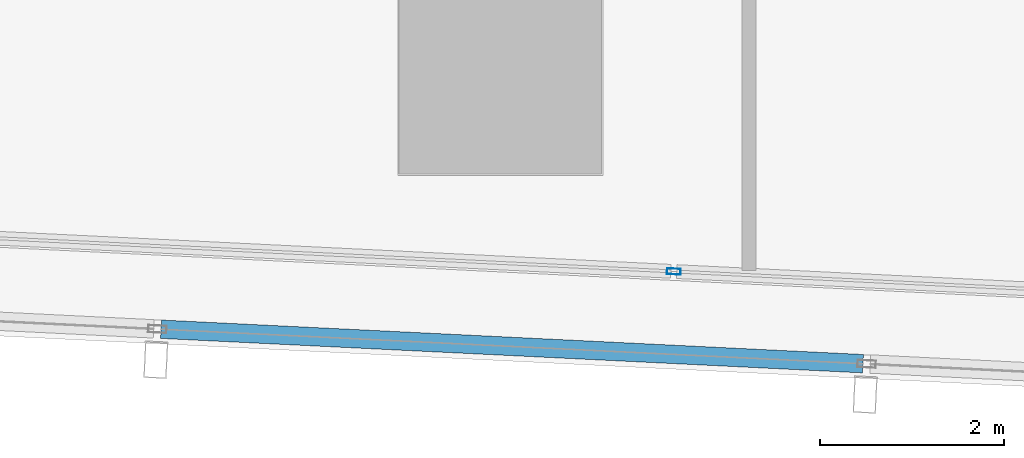
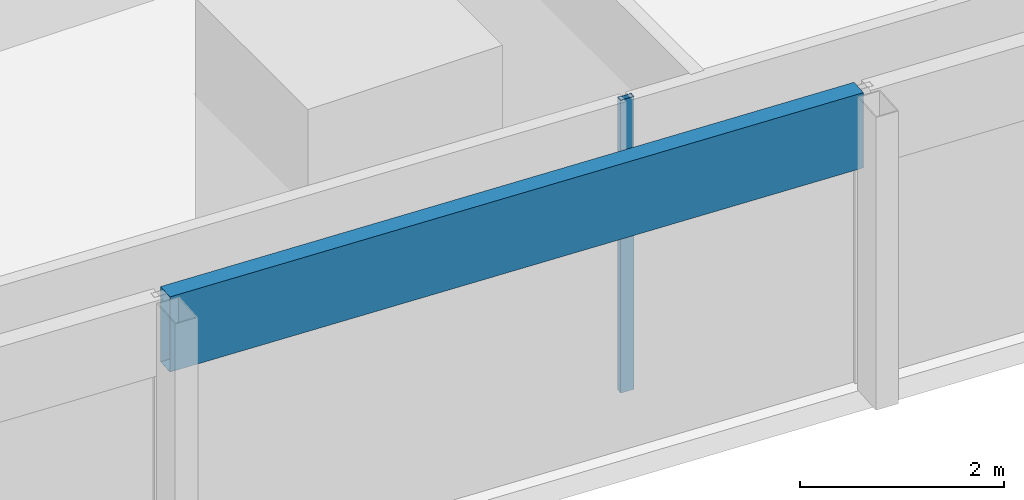
# One storey, part 6 of 44: 2 members, 2 elements without a shape of their own.
"""IFC4 building model written with IfcOpenShell, lengths in metres."""

import ifcopenshell
import ifcopenshell.guid

model = None  # the IFC model being written
_history = None  # IfcOwnerHistory: only IFC2X3 demands one
_inside = {}  # id of a spatial element -> (the spatial element, [elements in it])
_under = {}  # id of a project, library or spatial element -> (it, [spatial elements below it])
_declared = {}  # id of a project -> (the project, [libraries it declares])
_typed = {}  # id of a type object -> (the type object, [elements of that type])
_made_of = {}  # id of a material, layer set ... -> (it, [elements and type objects made of it])


def new_model(schema):
    """Start an empty IFC model of exactly this schema.

    Asked for "IFC4X3", IfcOpenShell would pick the latest addendum, in which some entities
    have other attributes; the version numbers below select the first issue.
    IFC2X3 requires an IfcOwnerHistory on every rooted entity: one is made here for all.
    """
    global model, _history
    if schema == "IFC4X3":
        model = ifcopenshell.file(schema_version=(4, 3, 0, 0))
    else:
        model = ifcopenshell.file(schema=schema)
    _inside.clear()
    _under.clear()
    _declared.clear()
    _typed.clear()
    _made_of.clear()
    _history = None
    if model.schema == "IFC2X3":
        org = make("IfcOrganization", Name="unknown")
        user = make(
            "IfcPersonAndOrganization",
            ThePerson=make("IfcPerson", FamilyName="unknown"),
            TheOrganization=org,
        )
        app = make(
            "IfcApplication",
            ApplicationDeveloper=org,
            Version="unknown",
            ApplicationFullName="unknown",
            ApplicationIdentifier="unknown",
        )
        _history = make(
            "IfcOwnerHistory",
            OwningUser=user,
            OwningApplication=app,
            ChangeAction="ADDED",
            CreationDate=0,
        )
    return model


def make(cls, **values):
    """One entity of the class cls with the attributes given. An attribute that is None is left unset."""
    return model.create_entity(
        cls, **{name: value for name, value in values.items() if value is not None}
    )


def rooted(cls, **values):
    """An entity with a GlobalId (a new one), such as an element, a storey or a relation."""
    return make(cls, GlobalId=ifcopenshell.guid.new(), OwnerHistory=_history, **values)


def si_unit(unit_type, name, prefix=None):
    """IfcSIUnit, for example si_unit("LENGTHUNIT", "METRE", prefix="MILLI")."""
    return make("IfcSIUnit", UnitType=unit_type, Prefix=prefix, Name=name)


def assignment(units):
    """IfcUnitAssignment: the units of a project."""
    return None if units is None else make("IfcUnitAssignment", Units=units)


def point(xyz):
    """IfcCartesianPoint."""
    return None if xyz is None else make("IfcCartesianPoint", Coordinates=xyz)


def direction(xyz):
    """IfcDirection."""
    return None if xyz is None else make("IfcDirection", DirectionRatios=xyz)


def frame(location, z_axis=None, x_axis=None):
    """IfcAxis2Placement3D, a coordinate frame: its origin and axes. An axis left out is left unset."""
    return make(
        "IfcAxis2Placement3D",
        Location=point(location),
        Axis=direction(z_axis),
        RefDirection=direction(x_axis),
    )


def frame_2d(location, x_axis=None):
    """IfcAxis2Placement2D, a coordinate frame in the plane: its origin and x axis."""
    return make(
        "IfcAxis2Placement2D", Location=point(location), RefDirection=direction(x_axis)
    )


def origin():
    """The frame at (0, 0, 0) with its axes left unset."""
    return frame((0.0, 0.0, 0.0))


def origin_2d():
    """The frame at (0, 0) in the plane with its x axis left unset."""
    return frame_2d((0.0, 0.0))


def place(relative_to, where):
    """IfcLocalPlacement: puts the frame where relative to a parent placement (None: the world)."""
    return make(
        "IfcLocalPlacement", PlacementRelTo=relative_to, RelativePlacement=where
    )


def context(
    kind, dimensions, precision=None, world=None, true_north=None, identifier=None
):
    """IfcGeometricRepresentationContext, for example the 3D "Model" context."""
    return make(
        "IfcGeometricRepresentationContext",
        ContextIdentifier=identifier,
        ContextType=kind,
        CoordinateSpaceDimension=dimensions,
        Precision=precision,
        WorldCoordinateSystem=world,
        TrueNorth=true_north,
    )


def subcontext(parent, identifier, kind, view, scale=None):
    """IfcGeometricRepresentationSubContext, for example "Body" below "Model"."""
    return make(
        "IfcGeometricRepresentationSubContext",
        ContextIdentifier=identifier,
        ContextType=kind,
        ParentContext=parent,
        TargetScale=scale,
        TargetView=view,
    )


def project(units=None, contexts=None):
    """IfcProject with its units and contexts."""
    return rooted(
        "IfcProject",
        Name="project",
        RepresentationContexts=contexts,
        UnitsInContext=assignment(units),
    )


def spatial(cls, under=None, at=None, **own):
    """A site, building, storey or space (cls), placed at a placement, below another one or the project."""
    s = rooted(cls, ObjectPlacement=at, **own)
    if under is not None:
        _under.setdefault(under.id(), (under, []))[1].append(s)
    return s


def profile(cls, at=None, kind="AREA", **sizes):
    """A parametric profile (cls). Its sizes go by their IFC names, for example OverallWidth=200.0."""
    return make(cls, ProfileType=kind, Position=at, **sizes)


def hollow_rectangle(**sizes):
    """IfcRectangleHollowProfileDef."""
    return profile("IfcRectangleHollowProfileDef", **sizes)


def extrude(swept, where, along, depth):
    """IfcExtrudedAreaSolid: the profile swept, set in the frame where, extruded along a direction by depth."""
    return make(
        "IfcExtrudedAreaSolid",
        SweptArea=swept,
        Position=where,
        ExtrudedDirection=direction(along),
        Depth=depth,
    )


def shape(context_of_items, identifier, shape_type, items):
    """IfcShapeRepresentation: the items that make up one representation, for example the "Body"."""
    return make(
        "IfcShapeRepresentation",
        ContextOfItems=context_of_items,
        RepresentationIdentifier=identifier,
        RepresentationType=shape_type,
        Items=items,
    )


def material(Name=None, Category=None):
    """IfcMaterial."""
    return make("IfcMaterial", Name=Name, Category=Category)


def material_profile(
    of_material, cross_section, Name=None, Category=None, Priority=None
):
    """IfcMaterialProfile: a cross section and its material."""
    return make(
        "IfcMaterialProfile",
        Name=Name,
        Material=of_material,
        Profile=cross_section,
        Priority=Priority,
        Category=Category,
    )


def profile_set(profiles, Name=None, composite=None):
    """IfcMaterialProfileSet."""
    return make(
        "IfcMaterialProfileSet",
        Name=Name,
        MaterialProfiles=profiles,
        CompositeProfile=composite,
    )


def made_of(thing, what):
    """Note that an element or type object is made of a material, layer set ...; save() writes the relation."""
    if what is not None:
        _made_of.setdefault(what.id(), (what, []))[1].append(thing)
    return thing


def type_object(cls, material=None, **own):
    """A type object (cls), such as IfcWallType, which elements share."""
    return made_of(rooted(cls, **own), material)


def element(
    cls,
    number,
    at=None,
    inside=None,
    cuts=None,
    type_object=None,
    material=None,
    context=None,
    identifier="Body",
    shape_type=None,
    held_by="IfcProductDefinitionShape",
    body=None,
    shapes=None,
    **own,
):
    """One element of the class cls, such as IfcWall. Its Tag is "e" and its number.

    at: its placement. inside: the storey or other place that contains it. cuts: it is an
    opening in that element (IfcRelVoidsElement). A single representation is given by context,
    identifier, shape_type and body (its items); several are given by shapes. held_by: the class
    of the entity that holds the representations. save() writes the other relations.
    """
    e = rooted(cls, Tag="e%d" % number, ObjectPlacement=at, **own)
    if body is not None:
        shapes = [shape(context, identifier, shape_type, body)]
    if shapes is not None:
        e.Representation = make(held_by, Representations=shapes)
    if inside is not None:
        _inside.setdefault(inside.id(), (inside, []))[1].append(e)
    if cuts is not None:
        rooted(
            "IfcRelVoidsElement", RelatingBuildingElement=cuts, RelatedOpeningElement=e
        )
    if type_object is not None:
        _typed.setdefault(type_object.id(), (type_object, []))[1].append(e)
    return made_of(e, material)


def aggregate(whole, parts):
    """IfcRelAggregates: a whole, such as a stair, and the parts it consists of."""
    return rooted("IfcRelAggregates", RelatingObject=whole, RelatedObjects=parts)


def save(model, path):
    """Write the relations noted so far, then the file.

    IfcRelAggregates (storeys below a building ...), IfcRelContainedInSpatialStructure (elements
    in a storey), IfcRelDefinesByType, IfcRelAssociatesMaterial and IfcRelDeclares: one each for
    every whole, place, type object, material and project.
    """
    for whole, parts in _under.values():
        aggregate(whole, parts)
    for where, things in _inside.values():
        rooted(
            "IfcRelContainedInSpatialStructure",
            RelatedElements=things,
            RelatingStructure=where,
        )
    for kind, things in _typed.values():
        rooted("IfcRelDefinesByType", RelatedObjects=things, RelatingType=kind)
    for what, things in _made_of.values():
        rooted("IfcRelAssociatesMaterial", RelatedObjects=things, RelatingMaterial=what)
    for by, libraries in _declared.values():
        rooted("IfcRelDeclares", RelatingContext=by, RelatedDefinitions=libraries)
    model.write(path)


model = new_model("IFC4")

# Units and contexts
model_context = context("Model", 3, precision=1e-05, world=origin(), true_north=direction((0.0, 1.0)))
body_context = subcontext(model_context, "Body", "Model", "MODEL_VIEW")
ifc_project = project(units=[si_unit("LENGTHUNIT", "METRE"), si_unit("AREAUNIT", "SQUARE_METRE"), si_unit("VOLUMEUNIT", "CUBIC_METRE"), si_unit("PLANEANGLEUNIT", "RADIAN"), si_unit("MASSUNIT", "GRAM", prefix="KILO")], contexts=[model_context])

# Site, building, storey
site_placement = place(None, origin())
site = spatial("IfcSite", under=ifc_project, at=site_placement, CompositionType="ELEMENT")
building_placement = place(site_placement, origin())
building = spatial("IfcBuilding", under=site, at=building_placement, Name="Rekha Terrace Tower", CompositionType="ELEMENT")
storey_placement = place(building_placement, frame((0.0, 0.0, 51.64990234375)))
storey = spatial("IfcBuildingStorey", under=building, at=storey_placement, Name="L12", CompositionType="ELEMENT", Elevation=51.64990234375)

# Curtain wall, member
ifc_material_1 = material(Name="Aluminium framing", Category="aluminium")
curtain_wall_type_1 = type_object("IfcCurtainWallType", Name="CW1 double skin inner glazing", PredefinedType="USERDEFINED", material=ifc_material_1)
curtain_wall_1_placement = place(storey_placement, origin())
curtain_wall_1 = element("IfcCurtainWall", 1, at=curtain_wall_1_placement, inside=storey, type_object=curtain_wall_type_1, Name="CW1 double skin inner glazing", ObjectType="DOUBLE SKIN INNER GLAZING", PredefinedType="USERDEFINED")
ifc_material_2 = material(Name="Aluminium mullion section", Category="aluminium")
ifc_material_profile_1 = material_profile(ifc_material_2, hollow_rectangle(XDim=0.06494140625, YDim=0.14990234375, WallThickness=0.00390625, at=origin_2d()), Name="AL RHS 65x150")
ifc_profile_set_1 = profile_set([ifc_material_profile_1], Name="Aluminium mullion section")
member_type_1 = type_object("IfcMemberType", Name="CW1 mullion RHS 65 x 150", PredefinedType="MULLION", material=ifc_profile_set_1)
member_1_placement = place(storey_placement, frame((35.48388671875, 6.24267578125, 0.0), z_axis=(0.0, 0.0, 1.0), x_axis=(0.049051717746, 0.998796239974, 0.0)))
member_1 = element("IfcMember", 2, at=member_1_placement, type_object=member_type_1, Name="CW1 mullion 3", PredefinedType="MULLION", context=body_context, shape_type="SweptSolid", body=[
    extrude(hollow_rectangle(XDim=0.06494140625, YDim=0.14990234375, WallThickness=0.00390625, at=origin_2d()), origin(), (0.0, 0.0, 1.0), 3.5),
])
aggregate(curtain_wall_1, [member_1])

curtain_wall_type_2 = type_object("IfcCurtainWallType", Name="CW2 double skin outer glazing", PredefinedType="USERDEFINED", material=ifc_material_1)
curtain_wall_2_placement = place(storey_placement, origin())
curtain_wall_2 = element("IfcCurtainWall", 3, at=curtain_wall_2_placement, inside=storey, type_object=curtain_wall_type_2, Name="CW2 double skin outer glazing", ObjectType="DOUBLE SKIN OUTER GLAZING", PredefinedType="USERDEFINED")
ifc_material_3 = material(Name="Insulated aluminium spandrel box", Category="aluminium")
ifc_material_profile_2 = material_profile(ifc_material_3, hollow_rectangle(XDim=0.199951171875, YDim=0.89990234375, WallThickness=0.0029296875, at=origin_2d()), Name="AL SPANDREL BOX 200x900")
ifc_profile_set_2 = profile_set([ifc_material_profile_2], Name="Insulated aluminium spandrel box")
member_type_2 = type_object("IfcMemberType", Name="CW2 spandrel transom 200 x 900", PredefinedType="USERDEFINED", material=ifc_profile_set_2)
member_2_placement = place(storey_placement, frame((29.91259765625, 5.615234375, 3.050048828125), z_axis=(0.998796434643, -0.049047753721, 0.0), x_axis=(0.049047753721, 0.998796434643, 0.0)))
member_2 = element("IfcMember", 4, at=member_2_placement, type_object=member_type_2, Name="CW2 spandrel transom 4", ObjectType="TRANSOM", PredefinedType="USERDEFINED", context=body_context, shape_type="SweptSolid", body=[
    extrude(hollow_rectangle(XDim=0.199951171875, YDim=0.89990234375, WallThickness=0.0029296875, at=origin_2d()), origin(), (0.0, 0.0, 1.0), 7.6357421875),
])
aggregate(curtain_wall_2, [member_2])

save(model, "model.ifc")
